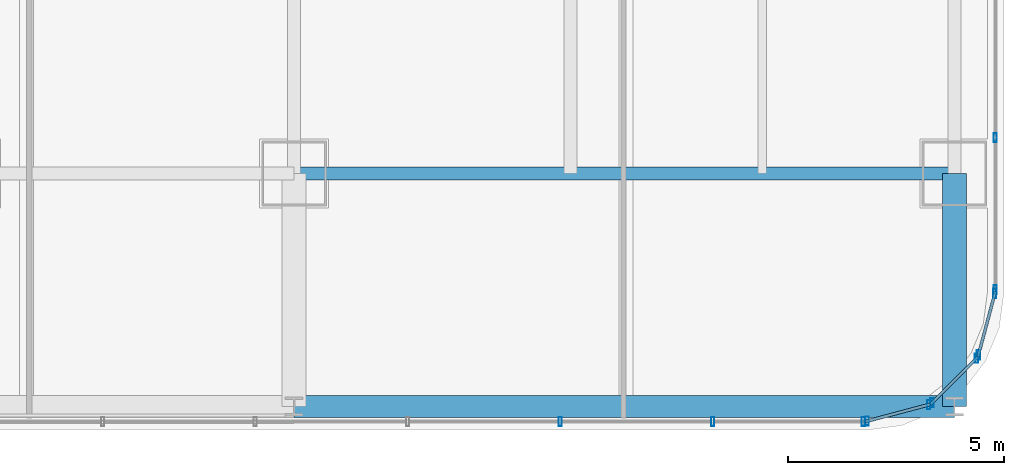
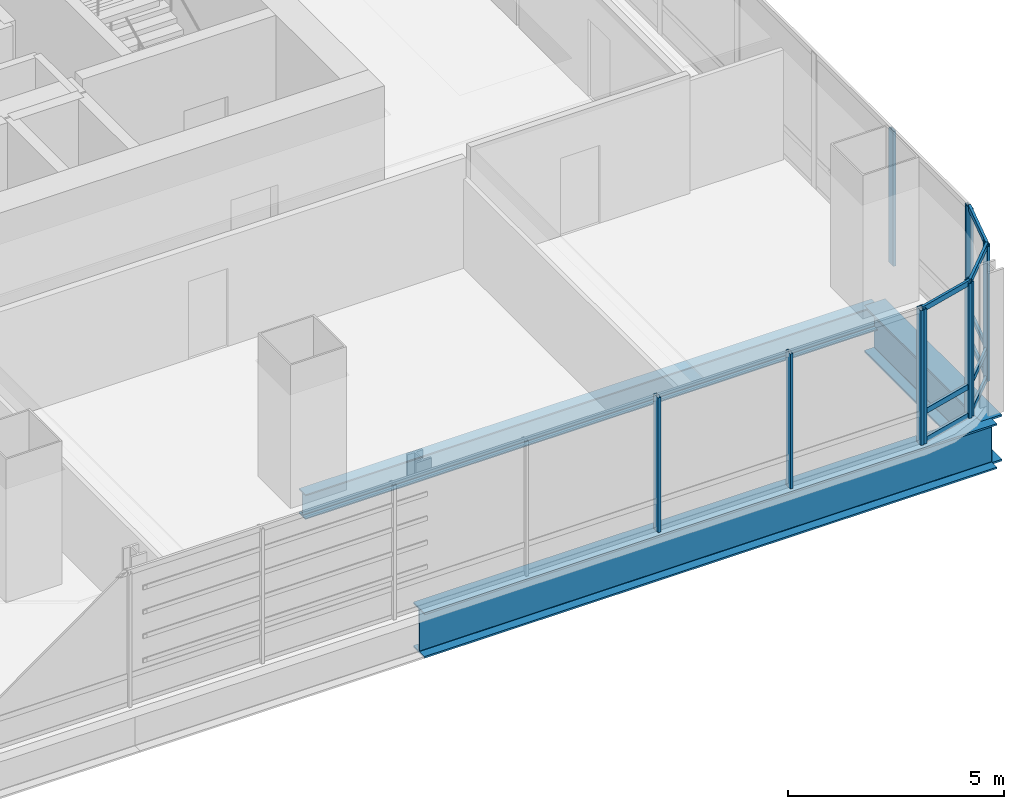
# One storey, part 13 of 36: 20 members, 3 beams, 5 elements without a shape of their own.
"""IFC4 building model written with IfcOpenShell, lengths in metres."""

from ifc_helpers import new_model, si_unit, direction, frame, origin, origin_2d, place, context, subcontext, project, spatial, hollow_rectangle, i_section, extrude, material, material_profile, profile_set, type_object, element, aggregate, save


model = new_model("IFC4")

# Units and contexts
model_context = context("Model", 3, precision=1e-05, world=origin(), true_north=direction((0.0, 1.0)))
body_context = subcontext(model_context, "Body", "Model", "MODEL_VIEW")
ifc_project = project(units=[si_unit("LENGTHUNIT", "METRE"), si_unit("AREAUNIT", "SQUARE_METRE"), si_unit("VOLUMEUNIT", "CUBIC_METRE"), si_unit("PLANEANGLEUNIT", "RADIAN"), si_unit("MASSUNIT", "GRAM", prefix="KILO")], contexts=[model_context])

# Site, building, storey
site_placement = place(None, origin())
site = spatial("IfcSite", under=ifc_project, at=site_placement, CompositionType="ELEMENT")
building_placement = place(site_placement, origin())
building = spatial("IfcBuilding", under=site, at=building_placement, Name="Punatoya Terracotta Tower", CompositionType="ELEMENT")
storey_placement = place(building_placement, frame((0.0, 0.0, 32.25)))
storey = spatial("IfcBuildingStorey", under=building, at=storey_placement, Name="L06", CompositionType="ELEMENT", Elevation=32.25)

# Beams
ifc_material_1 = material(Name="Steel S355", Category="steel")
ifc_material_profile_1 = material_profile(ifc_material_1, i_section(OverallWidth=0.300048828125, OverallDepth=0.699951171875, WebThickness=0.01708984375, FlangeThickness=0.031982421875, FilletRadius=0.01806640625, at=origin_2d()))
ifc_profile_set_1 = profile_set([ifc_material_profile_1], Name="Steel S355")
beam_type_1 = type_object("IfcBeamType", Name="BM-PRI-700", PredefinedType="BEAM", material=ifc_profile_set_1)
beam_1_placement = place(storey_placement, frame((3.800048828125, -17.5, -0.590087890625), z_axis=(1.0, 0.0, 0.0), x_axis=(0.0, 1.0, 0.0)))
element("IfcBeam", 1, at=beam_1_placement, inside=storey, type_object=beam_type_1, Name="BM-L06-RG-S3", PredefinedType="BEAM", context=body_context, shape_type="SweptSolid", body=[
    extrude(i_section(OverallWidth=0.300048828125, OverallDepth=0.699951171875, WebThickness=0.01708984375, FlangeThickness=0.031982421875, FilletRadius=0.01806640625, at=origin_2d()), origin(), (0.0, 0.0, 1.0), 15.300048828125),
])
ifc_material_2 = material(Name="Steel S460", Category="steel")
ifc_material_profile_2 = material_profile(ifc_material_2, i_section(OverallWidth=0.56005859375, OverallDepth=1.320068359375, WebThickness=0.035888671875, FlangeThickness=0.054931640625, FilletRadius=0.01806640625, at=origin_2d()))
ifc_profile_set_2 = profile_set([ifc_material_profile_2], Name="Steel S460")
beam_type_2 = type_object("IfcBeamType", Name="BM-TG-BLK", PredefinedType="BEAM", material=ifc_profile_set_2)
beam_2_placement = place(storey_placement, frame((19.10009765625, -22.89990234375, -0.89990234375), z_axis=(0.0, 1.0, 0.0), x_axis=(-1.0, 0.0, 0.0)))
element("IfcBeam", 2, at=beam_2_placement, inside=storey, type_object=beam_type_2, Name="BM-L06-CANT-S4", PredefinedType="BEAM", context=body_context, shape_type="SweptSolid", body=[
    extrude(i_section(OverallWidth=0.56005859375, OverallDepth=1.320068359375, WebThickness=0.035888671875, FlangeThickness=0.054931640625, FilletRadius=0.01806640625, at=origin_2d()), origin(), (0.0, 0.0, 1.0), 5.39990234375),
])
ifc_material_profile_3 = material_profile(ifc_material_2, i_section(OverallWidth=0.52001953125, OverallDepth=1.280029296875, WebThickness=0.031982421875, FlangeThickness=0.050048828125, FilletRadius=0.01806640625, at=origin_2d()))
ifc_profile_set_3 = profile_set([ifc_material_profile_3], Name="Steel S460")
beam_type_3 = type_object("IfcBeamType", Name="BM-TG-NCK", PredefinedType="BEAM", material=ifc_profile_set_3)
beam_3_placement = place(storey_placement, frame((3.800048828125, -22.89990234375, -0.8798828125), z_axis=(1.0, 0.0, 0.0), x_axis=(0.0, 1.0, 0.0)))
element("IfcBeam", 3, at=beam_3_placement, inside=storey, type_object=beam_type_3, Name="BM-L06-PER-S3", PredefinedType="BEAM", context=body_context, shape_type="SweptSolid", body=[
    extrude(i_section(OverallWidth=0.52001953125, OverallDepth=1.280029296875, WebThickness=0.031982421875, FlangeThickness=0.050048828125, FilletRadius=0.01806640625, at=origin_2d()), origin(), (0.0, 0.0, 1.0), 15.300048828125),
])

# Curtain wall, members
ifc_material_3 = material(Name="Aluminium 6063-T6 + Double Low-E Glass", Category="aluminium")
curtain_wall_type = type_object("IfcCurtainWallType", Name="CW-M1", PredefinedType="NOTDEFINED", material=ifc_material_3)
curtain_wall_1_placement = place(storey_placement, origin())
curtain_wall_1 = element("IfcCurtainWall", 4, at=curtain_wall_1_placement, inside=storey, type_object=curtain_wall_type, Name="L06 Curtain Wall CW-L06-S01-1", PredefinedType="NOTDEFINED")
ifc_material_4 = material(Name="Aluminium 6063-T6", Category="aluminium")
ifc_material_profile_4 = material_profile(ifc_material_4, hollow_rectangle(XDim=0.074951171875, YDim=0.2099609375, WallThickness=0.00439453125, at=origin_2d()))
ifc_profile_set_4 = profile_set([ifc_material_profile_4], Name="Aluminium 6063-T6")
member_type_1 = type_object("IfcMemberType", Name="CW-MUL-M1", PredefinedType="MULLION", material=ifc_profile_set_4)
member_1_placement = place(storey_placement, frame((9.968994140625, -23.25, 0.0), z_axis=(0.0, 0.0, 1.0), x_axis=(1.0, 0.0, 0.0)))
member_1 = element("IfcMember", 5, at=member_1_placement, type_object=member_type_1, Name="CW-L06-S01-1 Mullion 09", PredefinedType="MULLION", context=body_context, shape_type="SweptSolid", body=[
    extrude(hollow_rectangle(XDim=0.074951171875, YDim=0.2099609375, WallThickness=0.00439453125, at=origin_2d()), origin(), (0.0, 0.0, 1.0), 3.81005859375),
])
member_2_placement = place(storey_placement, frame((13.5029296875, -23.25, 0.0), z_axis=(0.0, 0.0, 1.0), x_axis=(1.0, 0.0, 0.0)))
member_2 = element("IfcMember", 6, at=member_2_placement, type_object=member_type_1, Name="CW-L06-S01-1 Mullion 10", PredefinedType="MULLION", context=body_context, shape_type="SweptSolid", body=[
    extrude(hollow_rectangle(XDim=0.074951171875, YDim=0.2099609375, WallThickness=0.00439453125, at=origin_2d()), origin(), (0.0, 0.0, 1.0), 3.81005859375),
])
member_3_placement = place(storey_placement, frame((16.991943359375, -23.25, 0.0), z_axis=(0.0, 0.0, 1.0), x_axis=(1.0, 0.0, 0.0)))
member_3 = element("IfcMember", 7, at=member_3_placement, type_object=member_type_1, Name="CW-L06-S01-1 Mullion 11", PredefinedType="MULLION", context=body_context, shape_type="SweptSolid", body=[
    extrude(hollow_rectangle(XDim=0.074951171875, YDim=0.2099609375, WallThickness=0.00439453125, at=origin_2d()), origin(), (0.0, 0.0, 1.0), 3.81005859375),
])
aggregate(curtain_wall_1, [member_1, member_2, member_3])

curtain_wall_2_placement = place(storey_placement, origin())
curtain_wall_2 = element("IfcCurtainWall", 8, at=curtain_wall_2_placement, inside=storey, type_object=curtain_wall_type, Name="L06 Curtain Wall CW-L06-CRN02", PredefinedType="NOTDEFINED")
member_4_placement = place(storey_placement, frame((17.080322265625, -23.23828125, 0.0), z_axis=(0.0, 0.0, 1.0), x_axis=(1.0, 0.0, 0.0)))
member_4 = element("IfcMember", 9, at=member_4_placement, type_object=member_type_1, Name="CW-L06-CRN02 Mullion 00", PredefinedType="MULLION", context=body_context, shape_type="SweptSolid", body=[
    extrude(hollow_rectangle(XDim=0.074951171875, YDim=0.2099609375, WallThickness=0.00439453125, at=origin_2d()), origin(), (0.0, 0.0, 1.0), 3.81005859375),
])
member_5_placement = place(storey_placement, frame((18.505615234375, -22.858154296875, 0.0), z_axis=(0.0, 0.0, 1.0), x_axis=(1.0, 0.0, 0.0)))
member_5 = element("IfcMember", 10, at=member_5_placement, type_object=member_type_1, Name="CW-L06-CRN02 Mullion 01", PredefinedType="MULLION", context=body_context, shape_type="SweptSolid", body=[
    extrude(hollow_rectangle(XDim=0.074951171875, YDim=0.2099609375, WallThickness=0.00439453125, at=origin_2d()), origin(), (0.0, 0.0, 1.0), 3.81005859375),
])

curtain_wall_3_placement = place(storey_placement, origin())
curtain_wall_3 = element("IfcCurtainWall", 11, at=curtain_wall_3_placement, inside=storey, type_object=curtain_wall_type, Name="L06 Curtain Wall CW-L06-CRN03", PredefinedType="NOTDEFINED")
member_6_placement = place(storey_placement, frame((18.580810546875, -22.814697265625, 0.0), z_axis=(0.0, 0.0, 1.0), x_axis=(1.0, 0.0, 0.0)))
member_6 = element("IfcMember", 12, at=member_6_placement, type_object=member_type_1, Name="CW-L06-CRN03 Mullion 00", PredefinedType="MULLION", context=body_context, shape_type="SweptSolid", body=[
    extrude(hollow_rectangle(XDim=0.074951171875, YDim=0.2099609375, WallThickness=0.00439453125, at=origin_2d()), origin(), (0.0, 0.0, 1.0), 3.81005859375),
])
member_7_placement = place(storey_placement, frame((19.61474609375, -21.781005859375, 0.0), z_axis=(0.0, 0.0, 1.0), x_axis=(1.0, 0.0, 0.0)))
member_7 = element("IfcMember", 13, at=member_7_placement, type_object=member_type_1, Name="CW-L06-CRN03 Mullion 01", PredefinedType="MULLION", context=body_context, shape_type="SweptSolid", body=[
    extrude(hollow_rectangle(XDim=0.074951171875, YDim=0.2099609375, WallThickness=0.00439453125, at=origin_2d()), origin(), (0.0, 0.0, 1.0), 3.81005859375),
])

curtain_wall_4_placement = place(storey_placement, origin())
curtain_wall_4 = element("IfcCurtainWall", 14, at=curtain_wall_4_placement, inside=storey, type_object=curtain_wall_type, Name="L06 Curtain Wall CW-L06-CRN04", PredefinedType="NOTDEFINED")
member_8_placement = place(storey_placement, frame((19.658203125, -21.70556640625, 0.0), z_axis=(0.0, 0.0, 1.0), x_axis=(1.0, 0.0, 0.0)))
member_8 = element("IfcMember", 15, at=member_8_placement, type_object=member_type_1, Name="CW-L06-CRN04 Mullion 00", PredefinedType="MULLION", context=body_context, shape_type="SweptSolid", body=[
    extrude(hollow_rectangle(XDim=0.074951171875, YDim=0.2099609375, WallThickness=0.00439453125, at=origin_2d()), origin(), (0.0, 0.0, 1.0), 3.81005859375),
])
member_9_placement = place(storey_placement, frame((20.038330078125, -20.280517578125, 0.0), z_axis=(0.0, 0.0, 1.0), x_axis=(1.0, 0.0, 0.0)))
member_9 = element("IfcMember", 16, at=member_9_placement, type_object=member_type_1, Name="CW-L06-CRN04 Mullion 01", PredefinedType="MULLION", context=body_context, shape_type="SweptSolid", body=[
    extrude(hollow_rectangle(XDim=0.074951171875, YDim=0.2099609375, WallThickness=0.00439453125, at=origin_2d()), origin(), (0.0, 0.0, 1.0), 3.81005859375),
])

curtain_wall_5_placement = place(storey_placement, origin())
curtain_wall_5 = element("IfcCurtainWall", 17, at=curtain_wall_5_placement, inside=storey, type_object=curtain_wall_type, Name="L06 Curtain Wall CW-L06-E05-1", PredefinedType="NOTDEFINED")
member_10_placement = place(storey_placement, frame((20.050048828125, -20.19189453125, 0.0), z_axis=(0.0, 0.0, 1.0), x_axis=(1.0, 0.0, 0.0)))
member_10 = element("IfcMember", 18, at=member_10_placement, type_object=member_type_1, Name="CW-L06-E05-1 Mullion 00", PredefinedType="MULLION", context=body_context, shape_type="SweptSolid", body=[
    extrude(hollow_rectangle(XDim=0.074951171875, YDim=0.2099609375, WallThickness=0.00439453125, at=origin_2d()), origin(), (0.0, 0.0, 1.0), 3.81005859375),
])
member_11_placement = place(storey_placement, frame((20.050048828125, -16.66943359375, 0.0), z_axis=(0.0, 0.0, 1.0), x_axis=(1.0, 0.0, 0.0)))
member_11 = element("IfcMember", 19, at=member_11_placement, type_object=member_type_1, Name="CW-L06-E05-1 Mullion 01", PredefinedType="MULLION", context=body_context, shape_type="SweptSolid", body=[
    extrude(hollow_rectangle(XDim=0.074951171875, YDim=0.2099609375, WallThickness=0.00439453125, at=origin_2d()), origin(), (0.0, 0.0, 1.0), 3.81005859375),
])
aggregate(curtain_wall_5, [member_10, member_11])

# Member
ifc_material_profile_5 = material_profile(ifc_material_4, hollow_rectangle(XDim=0.068115234375, YDim=0.14990234375, WallThickness=0.00390625, at=origin_2d()))
ifc_profile_set_5 = profile_set([ifc_material_profile_5], Name="Aluminium 6063-T6")
member_type_2 = type_object("IfcMemberType", Name="CW-TRN-TYP", PredefinedType="USERDEFINED", material=ifc_profile_set_5)
member_12_placement = place(storey_placement, frame((17.036865234375, -23.25, 0.0400390625), z_axis=(0.966224582397, 0.257701486942, 0.0), x_axis=(-0.257701486942, 0.966224582397, 0.0)))
member_12 = element("IfcMember", 20, at=member_12_placement, type_object=member_type_2, Name="CW-L06-CRN02 Transom 1", ObjectType="TRANSOM", PredefinedType="USERDEFINED", context=body_context, shape_type="SweptSolid", body=[
    extrude(hollow_rectangle(XDim=0.068115234375, YDim=0.14990234375, WallThickness=0.00390625, at=origin_2d()), origin(), (0.0, 0.0, 1.0), 1.565185546875),
])

member_13_placement = place(storey_placement, frame((17.036865234375, -23.25, 0.85009765625), z_axis=(0.966224582397, 0.257701486942, 0.0), x_axis=(-0.257701486942, 0.966224582397, 0.0)))
member_13 = element("IfcMember", 21, at=member_13_placement, type_object=member_type_2, Name="CW-L06-CRN02 Transom 2", ObjectType="TRANSOM", PredefinedType="USERDEFINED", context=body_context, shape_type="SweptSolid", body=[
    extrude(hollow_rectangle(XDim=0.068115234375, YDim=0.14990234375, WallThickness=0.00390625, at=origin_2d()), origin(), (0.0, 0.0, 1.0), 1.565185546875),
])

member_14_placement = place(storey_placement, frame((17.036865234375, -23.25, 3.77001953125), z_axis=(0.966224582397, 0.257701486942, 0.0), x_axis=(-0.257701486942, 0.966224582397, 0.0)))
member_14 = element("IfcMember", 22, at=member_14_placement, type_object=member_type_2, Name="CW-L06-CRN02 Transom 3", ObjectType="TRANSOM", PredefinedType="USERDEFINED", context=body_context, shape_type="SweptSolid", body=[
    extrude(hollow_rectangle(XDim=0.068115234375, YDim=0.14990234375, WallThickness=0.00390625, at=origin_2d()), origin(), (0.0, 0.0, 1.0), 1.565185546875),
])

aggregate(curtain_wall_2, [member_4, member_5, member_12, member_13, member_14])

member_15_placement = place(storey_placement, frame((18.549072265625, -22.8466796875, 0.0400390625), z_axis=(0.707028130747, 0.707185422879, 0.0), x_axis=(-0.707185422879, 0.707028130747, 0.0)))
member_15 = element("IfcMember", 23, at=member_15_placement, type_object=member_type_2, Name="CW-L06-CRN03 Transom 1", ObjectType="TRANSOM", PredefinedType="USERDEFINED", context=body_context, shape_type="SweptSolid", body=[
    extrude(hollow_rectangle(XDim=0.068115234375, YDim=0.14990234375, WallThickness=0.00390625, at=origin_2d()), origin(), (0.0, 0.0, 1.0), 1.55224609375),
])

member_16_placement = place(storey_placement, frame((18.549072265625, -22.8466796875, 0.85009765625), z_axis=(0.707028130747, 0.707185422879, 0.0), x_axis=(-0.707185422879, 0.707028130747, 0.0)))
member_16 = element("IfcMember", 24, at=member_16_placement, type_object=member_type_2, Name="CW-L06-CRN03 Transom 2", ObjectType="TRANSOM", PredefinedType="USERDEFINED", context=body_context, shape_type="SweptSolid", body=[
    extrude(hollow_rectangle(XDim=0.068115234375, YDim=0.14990234375, WallThickness=0.00390625, at=origin_2d()), origin(), (0.0, 0.0, 1.0), 1.55224609375),
])

member_17_placement = place(storey_placement, frame((18.549072265625, -22.8466796875, 3.77001953125), z_axis=(0.707028130747, 0.707185422879, 0.0), x_axis=(-0.707185422879, 0.707028130747, 0.0)))
member_17 = element("IfcMember", 25, at=member_17_placement, type_object=member_type_2, Name="CW-L06-CRN03 Transom 3", ObjectType="TRANSOM", PredefinedType="USERDEFINED", context=body_context, shape_type="SweptSolid", body=[
    extrude(hollow_rectangle(XDim=0.068115234375, YDim=0.14990234375, WallThickness=0.00390625, at=origin_2d()), origin(), (0.0, 0.0, 1.0), 1.55224609375),
])

aggregate(curtain_wall_3, [member_6, member_7, member_15, member_16, member_17])

member_18_placement = place(storey_placement, frame((19.646484375, -21.7490234375, 0.0400390625), z_axis=(0.257847112249, 0.966185730957, 0.0), x_axis=(-0.966185730957, 0.257847112249, 0.0)))
member_18 = element("IfcMember", 26, at=member_18_placement, type_object=member_type_2, Name="CW-L06-CRN04 Transom 1", ObjectType="TRANSOM", PredefinedType="USERDEFINED", context=body_context, shape_type="SweptSolid", body=[
    extrude(hollow_rectangle(XDim=0.068115234375, YDim=0.14990234375, WallThickness=0.00390625, at=origin_2d()), origin(), (0.0, 0.0, 1.0), 1.565185546875),
])

member_19_placement = place(storey_placement, frame((19.646484375, -21.7490234375, 0.85009765625), z_axis=(0.257847112249, 0.966185730957, 0.0), x_axis=(-0.966185730957, 0.257847112249, 0.0)))
member_19 = element("IfcMember", 27, at=member_19_placement, type_object=member_type_2, Name="CW-L06-CRN04 Transom 2", ObjectType="TRANSOM", PredefinedType="USERDEFINED", context=body_context, shape_type="SweptSolid", body=[
    extrude(hollow_rectangle(XDim=0.068115234375, YDim=0.14990234375, WallThickness=0.00390625, at=origin_2d()), origin(), (0.0, 0.0, 1.0), 1.565185546875),
])

member_20_placement = place(storey_placement, frame((19.646484375, -21.7490234375, 3.77001953125), z_axis=(0.257847112249, 0.966185730957, 0.0), x_axis=(-0.966185730957, 0.257847112249, 0.0)))
member_20 = element("IfcMember", 28, at=member_20_placement, type_object=member_type_2, Name="CW-L06-CRN04 Transom 3", ObjectType="TRANSOM", PredefinedType="USERDEFINED", context=body_context, shape_type="SweptSolid", body=[
    extrude(hollow_rectangle(XDim=0.068115234375, YDim=0.14990234375, WallThickness=0.00390625, at=origin_2d()), origin(), (0.0, 0.0, 1.0), 1.565185546875),
])

aggregate(curtain_wall_4, [member_8, member_9, member_18, member_19, member_20])

save(model, "model.ifc")
